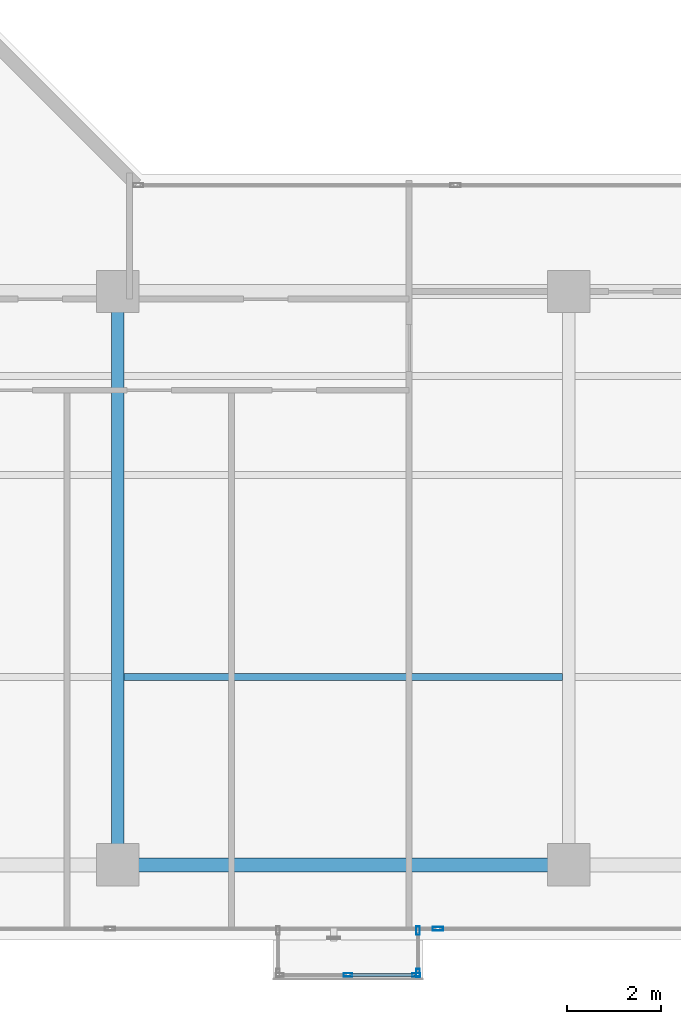
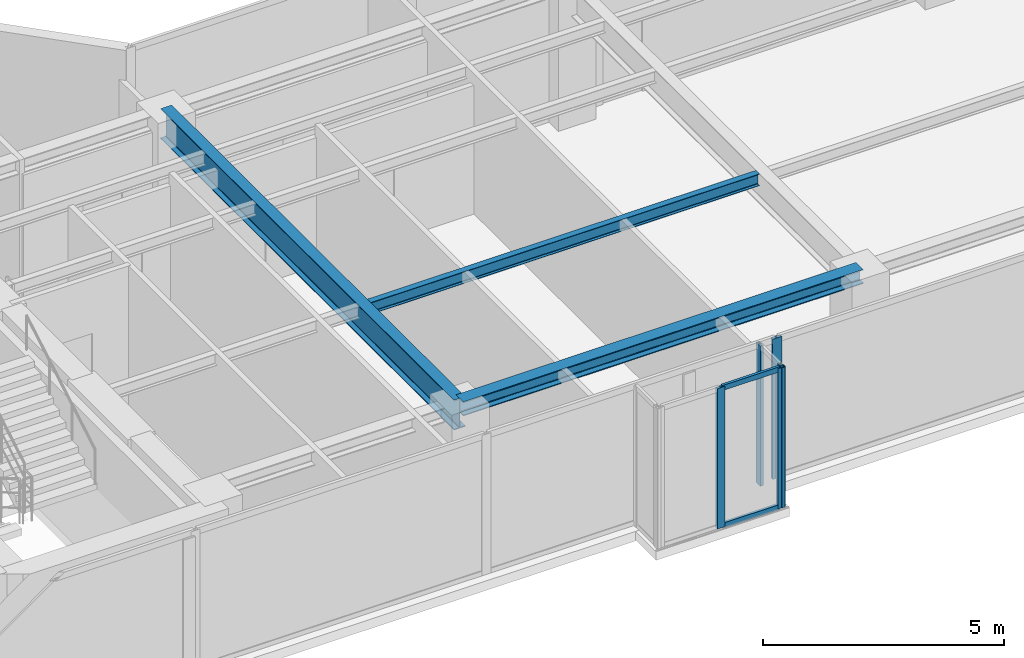
# One storey, part 5 of 23: 7 members, 3 beams, 3 elements without a shape of their own.
"""IFC4 building model written with IfcOpenShell, lengths in metres."""

from ifc_helpers import new_model, si_unit, direction, frame, origin, origin_with_axes, origin_2d, place, context, subcontext, project, spatial, hollow_rectangle, i_section, extrude, source, transform, mapped, material, layer, layer_set, material_profile, profile_set, type_object, element, aggregate, save


model = new_model("IFC4")

# Units and contexts
model_context = context("Model", 3, precision=1e-05, world=origin(), true_north=direction((0.0, 1.0)))
body_context = subcontext(model_context, "Body", "Model", "MODEL_VIEW")
ifc_project = project(units=[si_unit("LENGTHUNIT", "METRE"), si_unit("AREAUNIT", "SQUARE_METRE"), si_unit("VOLUMEUNIT", "CUBIC_METRE"), si_unit("PLANEANGLEUNIT", "RADIAN"), si_unit("MASSUNIT", "GRAM", prefix="KILO")], contexts=[model_context])

# Site, building, storey
site_placement = place(None, origin())
site = spatial("IfcSite", under=ifc_project, at=site_placement, CompositionType="ELEMENT")
building_placement = place(site_placement, origin())
building = spatial("IfcBuilding", under=site, at=building_placement, Name="Kolvaren Waterfront Exchange", CompositionType="ELEMENT")
storey_placement = place(building_placement, frame((0.0, 0.0, 297.0)))
storey = spatial("IfcBuildingStorey", under=building, at=storey_placement, Name="L76", CompositionType="ELEMENT", Elevation=297.0)

# Beams
ifc_material_1 = material(Name="Steel S355", Category="steel")
ifc_material_profile_1 = material_profile(ifc_material_1, i_section(OverallWidth=0.300048828125, OverallDepth=0.360107421875, WebThickness=0.012451171875, FlangeThickness=0.0224609375, FilletRadius=0.027099609375, at=origin_2d()), Name="HEB360")
ifc_profile_set_1 = profile_set([ifc_material_profile_1], Name="Steel S355")
beam_type_1 = type_object("IfcBeamType", Name="STR-BM-HEB360", PredefinedType="SPANDREL", material=ifc_profile_set_1)
beam_1_placement = place(storey_placement, frame((27.199951171875, 5.199951171875, 3.3798828125), z_axis=(1.0, 0.0, 0.0), x_axis=(0.0, 1.0, 0.0)))
element("IfcBeam", 1, at=beam_1_placement, inside=storey, type_object=beam_type_1, Name="L76 east-arm spandrel S2", PredefinedType="SPANDREL", context=body_context, shape_type="SweptSolid", body=[
    extrude(i_section(OverallWidth=0.300048828125, OverallDepth=0.360107421875, WebThickness=0.012451171875, FlangeThickness=0.0224609375, FilletRadius=0.027099609375, at=origin_2d()), origin(), (0.0, 0.0, 1.0), 9.60009765625),
])
ifc_material_profile_2 = material_profile(ifc_material_1, i_section(OverallWidth=0.14990234375, OverallDepth=0.300048828125, WebThickness=0.007080078125, FlangeThickness=0.0107421875, FilletRadius=0.014892578125, at=origin_2d()), Name="IPE300")
ifc_profile_set_2 = profile_set([ifc_material_profile_2], Name="Steel S355")
beam_type_2 = type_object("IfcBeamType", Name="STR-BM-IPE300", PredefinedType="JOIST", material=ifc_profile_set_2)
beam_2_placement = place(storey_placement, frame((27.33544921875, 9.199951171875, 3.409912109375), z_axis=(1.0, 0.0, 0.0), x_axis=(0.0, 1.0, 0.0)))
element("IfcBeam", 2, at=beam_2_placement, inside=storey, type_object=beam_type_2, Name="L76 east-arm composite joist 2B", PredefinedType="JOIST", context=body_context, shape_type="SweptSolid", body=[
    extrude(i_section(OverallWidth=0.14990234375, OverallDepth=0.300048828125, WebThickness=0.007080078125, FlangeThickness=0.0107421875, FilletRadius=0.014892578125, at=origin_2d()), origin(), (0.0, 0.0, 1.0), 9.3291015625),
])
ifc_material_profile_3 = material_profile(ifc_material_1, i_section(OverallWidth=0.26708984375, OverallDepth=0.761962890625, WebThickness=0.014404296875, FlangeThickness=0.021484375, FilletRadius=0.01708984375, at=origin_2d()), Name="IPE750x173")
ifc_profile_set_3 = profile_set([ifc_material_profile_3], Name="Steel S355")
beam_type_3 = type_object("IfcBeamType", Name="STR-BM-IPE750", PredefinedType="BEAM", material=ifc_profile_set_3)
beam_3_placement = place(storey_placement, frame((27.199951171875, 5.199951171875, 3.178955078125), z_axis=(0.0, 1.0, 0.0), x_axis=(-1.0, 0.0, 0.0)))
element("IfcBeam", 3, at=beam_3_placement, inside=storey, type_object=beam_type_3, Name="L76 east-arm transverse girder X27", PredefinedType="BEAM", context=body_context, shape_type="SweptSolid", body=[
    extrude(i_section(OverallWidth=0.26708984375, OverallDepth=0.761962890625, WebThickness=0.014404296875, FlangeThickness=0.021484375, FilletRadius=0.01708984375, at=origin_2d()), origin(), (0.0, 0.0, 1.0), 12.199951171875),
])

# Curtain wall, members
ifc_material_2 = material(Name="Anodised bronze aluminium 6063-T6", Category="aluminium")
ifc_layer_1 = layer(ifc_material_2, 0.219970703125, Name="Anodised bronze aluminium 6063-T6")
ifc_layer_set_1 = layer_set([ifc_layer_1], Name="Anodised bronze aluminium 6063-T6")
curtain_wall_type_1 = type_object("IfcCurtainWallType", Name="ARC-CW-SYS3", PredefinedType="USERDEFINED", material=ifc_layer_set_1)
curtain_wall_1_placement = place(storey_placement, origin())
curtain_wall_1 = element("IfcCurtainWall", 4, at=curtain_wall_1_placement, inside=storey, type_object=curtain_wall_type_1, Name="L76 stick curtain wall CW3 (CW-L76-BOX)", ObjectType="STICK CURTAIN WALL", PredefinedType="USERDEFINED")
ifc_material_profile_4 = material_profile(ifc_material_2, hollow_rectangle(XDim=0.06494140625, YDim=0.1298828125, WallThickness=0.00390625, at=origin_2d()), Name="ALU-TRN-130x65x4")
ifc_profile_set_4 = profile_set([ifc_material_profile_4], Name="Anodised bronze aluminium 6063-T6")
member_type_1 = type_object("IfcMemberType", Name="ARC-CWT-130", PredefinedType="USERDEFINED", material=ifc_profile_set_4)
shared_shape_1 = source(origin_with_axes(), body_context, "Body", "SweptSolid", [
    extrude(hollow_rectangle(XDim=0.06494140625, YDim=0.1298828125, WallThickness=0.00390625, at=origin_2d()), origin(), (0.0, 0.0, 1.0), 1.37744140625),
])
member_1_placement = place(storey_placement, frame((32.137451171875, 2.860107421875, 0.032470703125), z_axis=(1.0, 0.0, 0.0), x_axis=(0.0, 1.0, 0.0)))
member_1 = element("IfcMember", 5, at=member_1_placement, type_object=member_type_1, Name="CW3 transom 2.1", ObjectType="TRANSOM", PredefinedType="USERDEFINED", context=body_context, shape_type="MappedRepresentation", body=[
    mapped(shared_shape_1, transform((0.0, 0.0, 0.0), x_axis=(1.0, 0.0, 0.0), y_axis=(0.0, 1.0, 0.0), z_axis=(0.0, 0.0, 1.0), scale=1.0)),
])
member_2_placement = place(storey_placement, frame((32.137451171875, 2.860107421875, 3.527587890625), z_axis=(1.0, 0.0, 0.0), x_axis=(0.0, 1.0, 0.0)))
member_2 = element("IfcMember", 6, at=member_2_placement, type_object=member_type_1, Name="CW3 transom 2.2", ObjectType="TRANSOM", PredefinedType="USERDEFINED", context=body_context, shape_type="MappedRepresentation", body=[
    mapped(shared_shape_1, transform((0.0, 0.0, 0.0), x_axis=(1.0, 0.0, 0.0), y_axis=(0.0, 1.0, 0.0), z_axis=(0.0, 0.0, 1.0), scale=1.0)),
])
ifc_material_profile_5 = material_profile(ifc_material_2, hollow_rectangle(XDim=0.074951171875, YDim=0.179931640625, WallThickness=0.00439453125, at=origin_2d()), Name="ALU-MUL-180x75x4.5")
ifc_profile_set_5 = profile_set([ifc_material_profile_5], Name="Anodised bronze aluminium 6063-T6")
member_type_2 = type_object("IfcMemberType", Name="ARC-CWM-180", PredefinedType="MULLION", material=ifc_profile_set_5)
shared_shape_2 = source(origin_with_axes(), body_context, "Body", "SweptSolid", [
    extrude(hollow_rectangle(XDim=0.074951171875, YDim=0.179931640625, WallThickness=0.00439453125, at=origin_2d()), origin(), (0.0, 0.0, 1.0), 3.56005859375),
])
member_3_placement = place(storey_placement, frame((32.10009765625, 2.860107421875, 0.0), z_axis=(0.0, 0.0, 1.0), x_axis=(0.0, 1.0, 0.0)))
member_3 = element("IfcMember", 7, at=member_3_placement, type_object=member_type_2, Name="CW3 mullion 2", PredefinedType="MULLION", context=body_context, shape_type="MappedRepresentation", body=[
    mapped(shared_shape_2, transform((0.0, 0.0, 0.0), x_axis=(1.0, 0.0, 0.0), y_axis=(0.0, 1.0, 0.0), z_axis=(0.0, 0.0, 1.0), scale=1.0)),
])
member_4_placement = place(storey_placement, frame((33.552490234375, 2.860107421875, 0.0), z_axis=(0.0, 0.0, 1.0), x_axis=(0.0, 1.0, 0.0)))
member_4 = element("IfcMember", 8, at=member_4_placement, type_object=member_type_2, Name="CW3 mullion 3", PredefinedType="MULLION", context=body_context, shape_type="MappedRepresentation", body=[
    mapped(shared_shape_2, transform((0.0, 0.0, 0.0), x_axis=(1.0, 0.0, 0.0), y_axis=(0.0, 1.0, 0.0), z_axis=(0.0, 0.0, 1.0), scale=1.0)),
])
aggregate(curtain_wall_1, [member_3, member_4, member_1, member_2])

curtain_wall_2_placement = place(storey_placement, origin())
curtain_wall_2 = element("IfcCurtainWall", 9, at=curtain_wall_2_placement, inside=storey, type_object=curtain_wall_type_1, Name="L76 stick curtain wall CW3 (CW-L76-BOX-E)", ObjectType="STICK CURTAIN WALL", PredefinedType="USERDEFINED")
member_5_placement = place(storey_placement, frame((33.590087890625, 2.8974609375, 0.0), z_axis=(0.0, 0.0, 1.0), x_axis=(-1.0, 0.0, 0.0)))
member_5 = element("IfcMember", 10, at=member_5_placement, type_object=member_type_2, Name="CW3 mullion 1", PredefinedType="MULLION", context=body_context, shape_type="MappedRepresentation", body=[
    mapped(shared_shape_2, transform((0.0, 0.0, 0.0), x_axis=(1.0, 0.0, 0.0), y_axis=(0.0, 1.0, 0.0), z_axis=(0.0, 0.0, 1.0), scale=1.0)),
])
member_6_placement = place(storey_placement, frame((33.590087890625, 3.802490234375, 0.0), z_axis=(0.0, 0.0, 1.0), x_axis=(-1.0, 0.0, 0.0)))
member_6 = element("IfcMember", 11, at=member_6_placement, type_object=member_type_2, Name="CW3 mullion 2", PredefinedType="MULLION", context=body_context, shape_type="MappedRepresentation", body=[
    mapped(shared_shape_2, transform((0.0, 0.0, 0.0), x_axis=(1.0, 0.0, 0.0), y_axis=(0.0, 1.0, 0.0), z_axis=(0.0, 0.0, 1.0), scale=1.0)),
])
aggregate(curtain_wall_2, [member_5, member_6])

# Curtain wall, member
ifc_layer_2 = layer(ifc_material_2, 0.219970703125, Name="Anodised bronze aluminium 6063-T6")
ifc_layer_set_2 = layer_set([ifc_layer_2], Name="Anodised bronze aluminium 6063-T6")
curtain_wall_type_2 = type_object("IfcCurtainWallType", Name="ARC-CW-SYS1", PredefinedType="USERDEFINED", material=ifc_layer_set_2)
curtain_wall_3_placement = place(storey_placement, origin())
curtain_wall_3 = element("IfcCurtainWall", 12, at=curtain_wall_3_placement, inside=storey, type_object=curtain_wall_type_2, Name="L76 stick curtain wall CW1 (CW-L76-S)", ObjectType="STICK CURTAIN WALL", PredefinedType="USERDEFINED")
ifc_material_3 = material(Name="Anodised aluminium 6063-T6", Category="aluminium")
ifc_material_profile_6 = material_profile(ifc_material_3, hollow_rectangle(XDim=0.080078125, YDim=0.219970703125, WallThickness=0.0048828125, at=origin_2d()), Name="ALU-MUL-220x80x5")
ifc_profile_set_6 = profile_set([ifc_material_profile_6], Name="Anodised aluminium 6063-T6")
member_type_3 = type_object("IfcMemberType", Name="ARC-CWM-220", PredefinedType="MULLION", material=ifc_profile_set_6)
shared_shape_3 = source(origin_with_axes(), body_context, "Body", "SweptSolid", [
    extrude(hollow_rectangle(XDim=0.080078125, YDim=0.219970703125, WallThickness=0.0048828125, at=origin_2d()), origin(), (0.0, 0.0, 1.0), 3.56005859375),
])
member_7_placement = place(storey_placement, frame((34.01220703125, 3.840087890625, 0.0), z_axis=(0.0, 0.0, 1.0), x_axis=(0.0, 1.0, 0.0)))
member_7 = element("IfcMember", 13, at=member_7_placement, type_object=member_type_3, Name="CW1 mullion 5", PredefinedType="MULLION", context=body_context, shape_type="MappedRepresentation", body=[
    mapped(shared_shape_3, transform((0.0, 0.0, 0.0), x_axis=(1.0, 0.0, 0.0), y_axis=(0.0, 1.0, 0.0), z_axis=(0.0, 0.0, 1.0), scale=1.0)),
])
aggregate(curtain_wall_3, [member_7])

save(model, "model.ifc")
